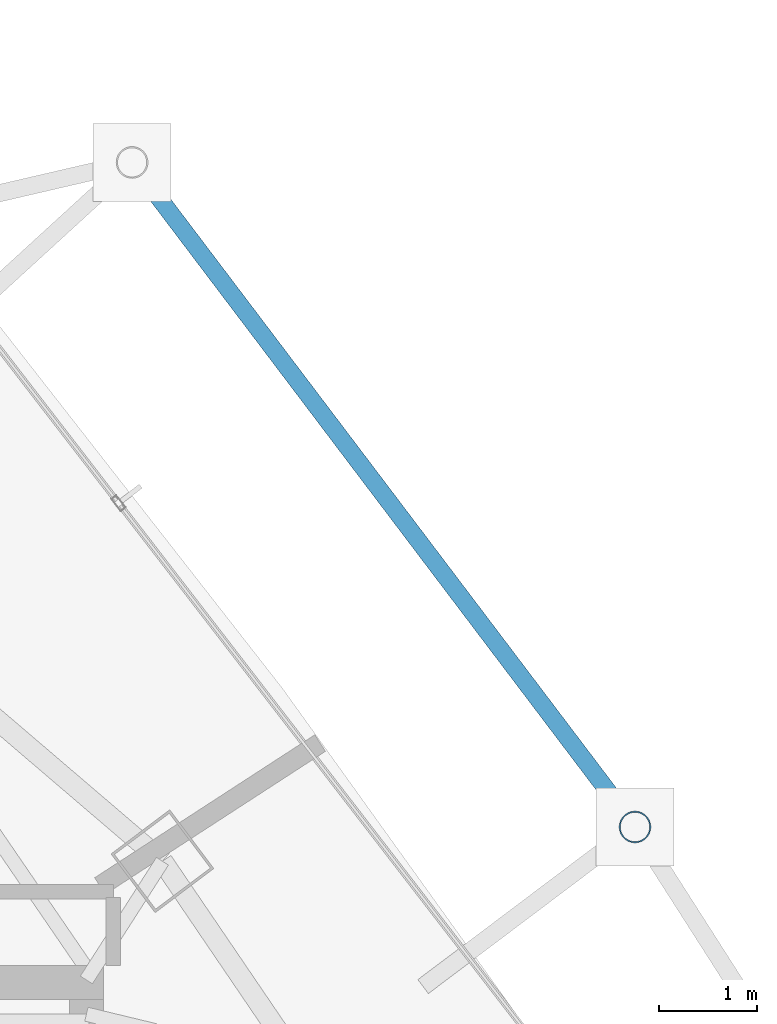
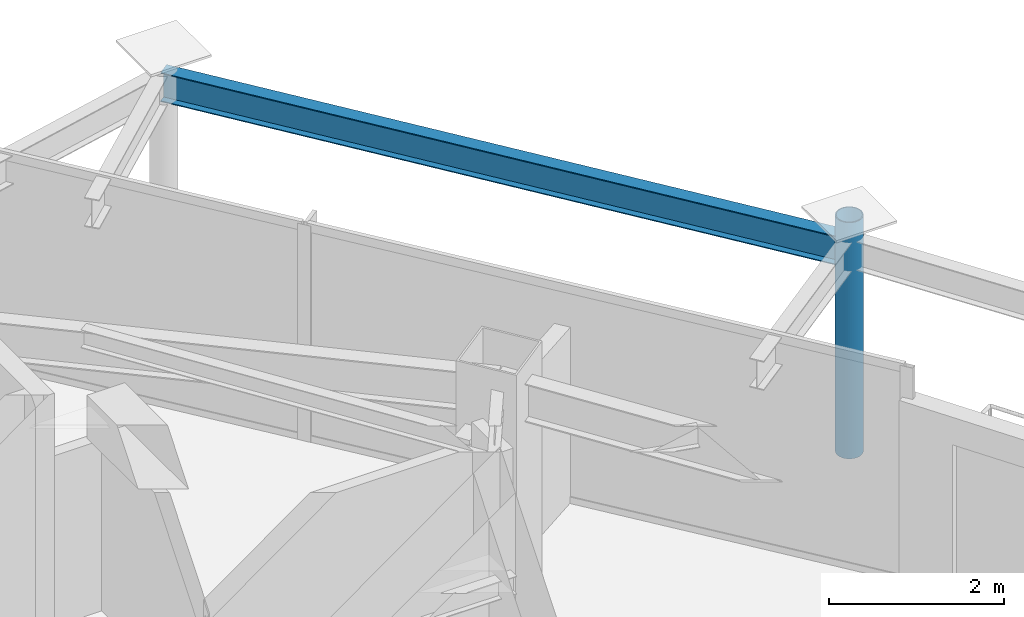
# One storey, part 24 of 30: 1 beam, 1 member.
"""IFC4 building model written with IfcOpenShell, lengths in metres."""

from ifc_helpers import new_model, si_unit, direction, frame, origin, origin_2d, place, context, subcontext, project, spatial, hollow_circle, i_section, extrude, material, material_profile, profile_set, type_object, element, save


model = new_model("IFC4")

# Units and contexts
model_context = context("Model", 3, precision=1e-05, world=origin(), true_north=direction((0.0, 1.0)))
body_context = subcontext(model_context, "Body", "Model", "MODEL_VIEW")
ifc_project = project(units=[si_unit("LENGTHUNIT", "METRE"), si_unit("AREAUNIT", "SQUARE_METRE"), si_unit("VOLUMEUNIT", "CUBIC_METRE"), si_unit("PLANEANGLEUNIT", "RADIAN"), si_unit("MASSUNIT", "GRAM", prefix="KILO")], contexts=[model_context])

# Site, building, storey
site_placement = place(None, origin())
site = spatial("IfcSite", under=ifc_project, at=site_placement, CompositionType="ELEMENT")
building_placement = place(site_placement, origin())
building = spatial("IfcBuilding", under=site, at=building_placement, Name="Orvanel Arch Residences", CompositionType="ELEMENT")
storey_placement = place(building_placement, frame((0.0, 0.0, 232.699951171875)))
storey = spatial("IfcBuildingStorey", under=building, at=storey_placement, Name="L66", CompositionType="ELEMENT", Elevation=232.699951171875)

# Beam
ifc_material_1 = material(Name="Structural steel AS/NZS 3679.1 Grade 300 (300 MPa)", Category="steel")
ifc_material_profile_1 = material_profile(ifc_material_1, i_section(OverallWidth=0.177978515625, OverallDepth=0.406005859375, WebThickness=0.0078125, FlangeThickness=0.0126953125, at=origin_2d()), Name="410UB59.7")
ifc_profile_set_1 = profile_set([ifc_material_profile_1], Name="Structural steel AS/NZS 3679.1 Grade 300 (300 MPa)")
beam_type = type_object("IfcBeamType", Name="OB-410UB-EXT", PredefinedType="SPANDREL", material=ifc_profile_set_1)
beam_placement = place(storey_placement, frame((45.180908203125, 35.462890625, 2.817138671875), z_axis=(-0.603425426844, 0.797419434324, 0.0), x_axis=(-0.797419434324, -0.603425426844, 0.0)))
element("IfcBeam", 1, at=beam_placement, inside=storey, type_object=beam_type, Name="L66 Outer Perimeter Floor Ring Beam 11", PredefinedType="SPANDREL", context=body_context, shape_type="SweptSolid", body=[
    extrude(i_section(OverallWidth=0.177978515625, OverallDepth=0.406005859375, WebThickness=0.0078125, FlangeThickness=0.0126953125, at=origin_2d()), origin(), (0.0, 0.0, 1.0), 8.516357421875),
])

# Member
ifc_material_2 = material(Name="Structural steel AS/NZS 1163 C350L0 (Grade 350)", Category="steel")
ifc_material_profile_2 = material_profile(ifc_material_2, hollow_circle(Radius=0.162109375, WallThickness=0.0126953125, at=origin_2d()), Name="CHS324x12.7")
ifc_profile_set_2 = profile_set([ifc_material_profile_2], Name="Structural steel AS/NZS 1163 C350L0 (Grade 350)")
member_type = type_object("IfcMemberType", Name="ST-324CHS-EXT", PredefinedType="STRUT", material=ifc_profile_set_2)
member_placement = place(storey_placement, frame((45.180908203125, 35.462890625, 0.0), z_axis=(0.0, 0.0, 1.0), x_axis=(1.0, 0.0, 0.0)))
element("IfcMember", 2, at=member_placement, inside=storey, type_object=member_type, Name="L66 Outer Perimeter Frame Post 11", PredefinedType="STRUT", context=body_context, shape_type="SweptSolid", body=[
    extrude(hollow_circle(Radius=0.162109375, WallThickness=0.0126953125, at=origin_2d()), origin(), (0.0, 0.0, 1.0), 3.300048828125),
])

save(model, "model.ifc")
